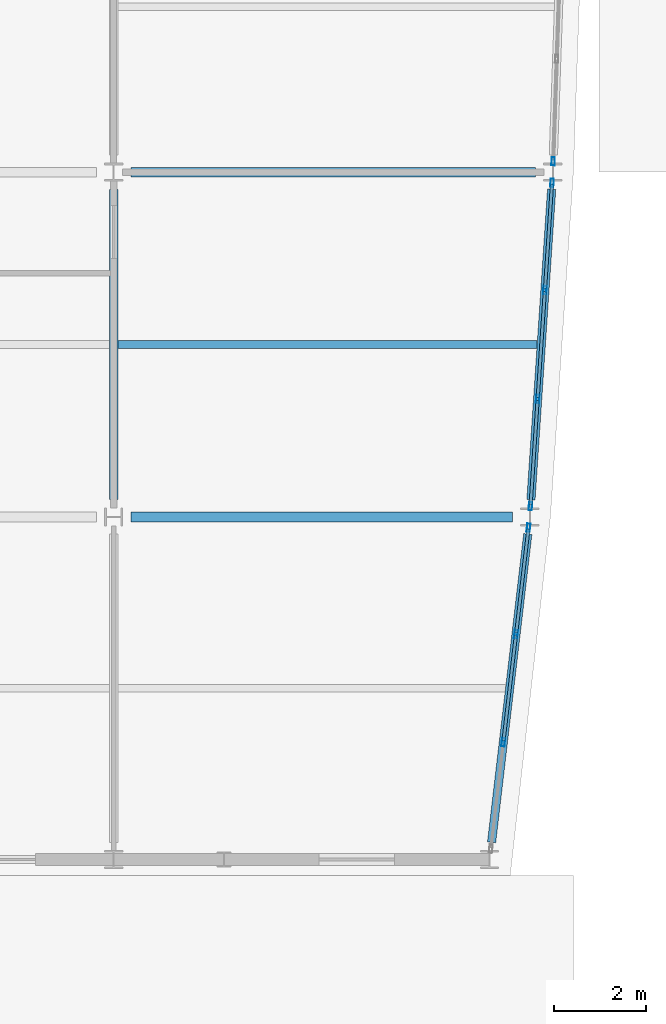
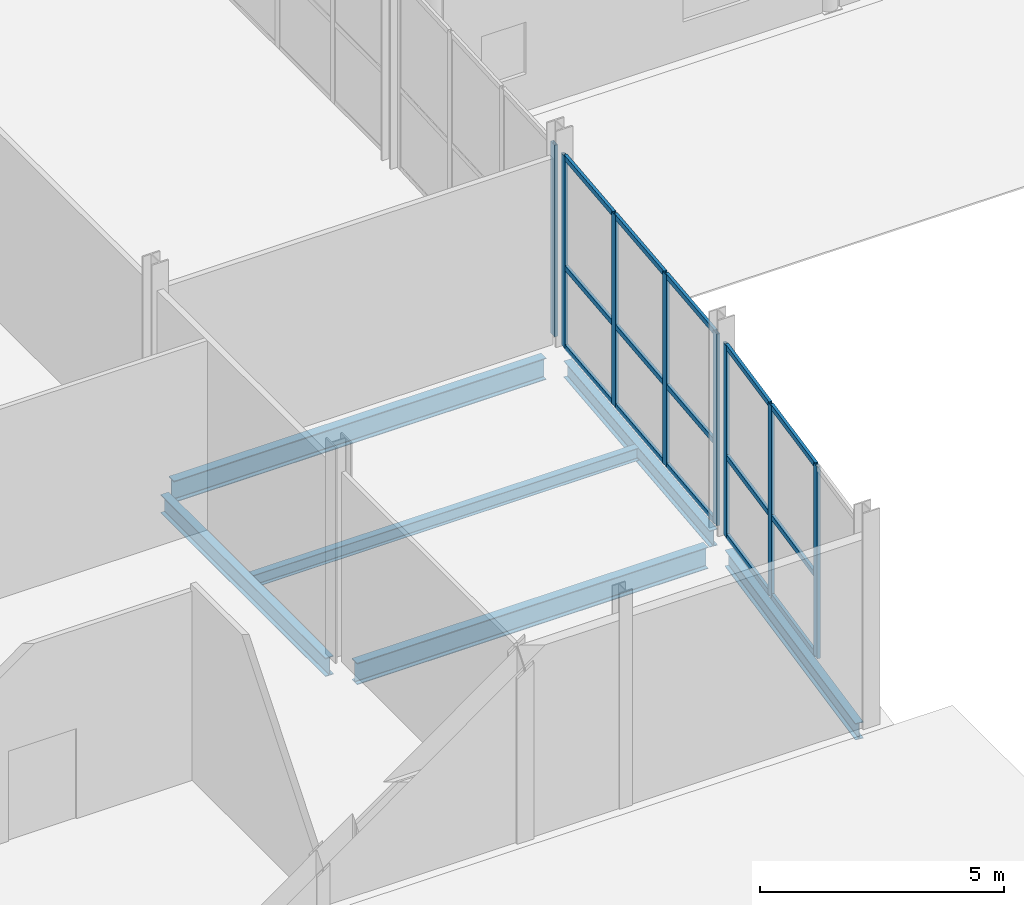
# One storey, part 25 of 83: 23 members, 6 beams, 3 elements without a shape of their own.
"""IFC4 building model written with IfcOpenShell, lengths in metres."""

from ifc_helpers import new_model, si_unit, direction, frame, origin, origin_2d, place, context, subcontext, project, spatial, hollow_rectangle, i_section, extrude, material, layer, layer_set, material_profile, profile_set, type_object, element, aggregate, save


model = new_model("IFC4")

# Units and contexts
model_context = context("Model", 3, precision=1e-05, world=origin(), true_north=direction((0.0, 1.0)))
body_context = subcontext(model_context, "Body", "Model", "MODEL_VIEW")
ifc_project = project(units=[si_unit("LENGTHUNIT", "METRE"), si_unit("AREAUNIT", "SQUARE_METRE"), si_unit("VOLUMEUNIT", "CUBIC_METRE"), si_unit("PLANEANGLEUNIT", "RADIAN"), si_unit("MASSUNIT", "GRAM", prefix="KILO")], contexts=[model_context])

# Site, building, storey
site_placement = place(None, origin())
site = spatial("IfcSite", under=ifc_project, at=site_placement, CompositionType="ELEMENT")
building_placement = place(site_placement, origin())
building = spatial("IfcBuilding", under=site, at=building_placement, Name="Quillay Park Conservatory", CompositionType="ELEMENT")
storey_placement = place(building_placement, origin())
storey = spatial("IfcBuildingStorey", under=building, at=storey_placement, Name="L00", CompositionType="ELEMENT", Elevation=0.0)

# Beam
ifc_material_1 = material(Name="Steel ASTM A992 Grade 50", Category="steel")
ifc_material_profile_1 = material_profile(ifc_material_1, i_section(OverallWidth=0.166015625, OverallDepth=0.31298828125, WebThickness=0.006591796875, FlangeThickness=0.01123046875, FilletRadius=0.010009765625, at=origin_2d()), Name="W310x45")
ifc_profile_set_1 = profile_set([ifc_material_profile_1], Name="Steel ASTM A992 Grade 50")
beam_type_1 = type_object("IfcBeamType", Name="COMPOSITE FLOOR JOIST W310 X45", PredefinedType="JOIST", material=ifc_profile_set_1)
beam_1_placement = place(storey_placement, frame((19.845947265625, 74.25, -0.406494140625), z_axis=(1.0, 0.0, 0.0), x_axis=(0.0, 1.0, 0.0)))
element("IfcBeam", 1, at=beam_1_placement, inside=storey, type_object=beam_type_1, Name="L00 beam BM-J-0077", PredefinedType="JOIST", context=body_context, shape_type="SweptSolid", body=[
    extrude(i_section(OverallWidth=0.166015625, OverallDepth=0.31298828125, WebThickness=0.006591796875, FlangeThickness=0.01123046875, FilletRadius=0.010009765625, at=origin_2d()), origin(), (0.0, 0.0, 1.0), 9.114013671875),
])

# Curtain wall, members
ifc_material_2 = material(Name="Thermally Broken Anodised Aluminium 6063-T6", Category="aluminium")
ifc_layer = layer(ifc_material_2, 0.179931640625)
ifc_layer_set = layer_set([ifc_layer], Name="UNITISED CURTAIN WALL TOWER (Thermally Broken Anodised Aluminium 6063-T6)")
curtain_wall_type = type_object("IfcCurtainWallType", Name="UNITISED CURTAIN WALL TOWER", PredefinedType="USERDEFINED", material=ifc_layer_set)
curtain_wall_1_placement = place(storey_placement, origin())
curtain_wall_1 = element("IfcCurtainWall", 2, at=curtain_wall_1_placement, inside=storey, type_object=curtain_wall_type, Name="L00 Unitised Curtain Wall 001", ObjectType="UNITISED CURTAIN WALL", PredefinedType="USERDEFINED")
ifc_material_3 = material(Name="Thermally Broken Anodised Aluminium 6063-T6", Category="aluminium")
ifc_material_profile_2 = material_profile(ifc_material_3, hollow_rectangle(XDim=0.070068359375, YDim=0.179931640625, WallThickness=0.00390625, at=origin_2d()), Name="AL70x180x4")
ifc_profile_set_2 = profile_set([ifc_material_profile_2], Name="Thermally Broken Anodised Aluminium 6063-T6")
member_type_1 = type_object("IfcMemberType", Name="CURTAIN WALL MULLION 70 X180", PredefinedType="MULLION", material=ifc_profile_set_2)
member_1_placement = place(storey_placement, frame((28.772705078125, 70.2666015625, 0.0), z_axis=(0.0, 0.0, 1.0), x_axis=(0.993172502804, -0.116654959918, 0.0)))
member_1 = element("IfcMember", 3, at=member_1_placement, type_object=member_type_1, Name="CW-T1 mullion 1", PredefinedType="MULLION", context=body_context, shape_type="SweptSolid", body=[
    extrude(hollow_rectangle(XDim=0.070068359375, YDim=0.179931640625, WallThickness=0.00390625, at=origin_2d()), origin(), (0.0, 0.0, 1.0), 4.7890625),
])
member_2_placement = place(storey_placement, frame((28.50048828125, 67.950439453125, 0.0), z_axis=(0.0, 0.0, 1.0), x_axis=(0.993172502804, -0.116654959918, 0.0)))
member_2 = element("IfcMember", 4, at=member_2_placement, type_object=member_type_1, Name="CW-T1 mullion 2", PredefinedType="MULLION", context=body_context, shape_type="SweptSolid", body=[
    extrude(hollow_rectangle(XDim=0.070068359375, YDim=0.179931640625, WallThickness=0.00390625, at=origin_2d()), origin(), (0.0, 0.0, 1.0), 4.7890625),
])
member_3_placement = place(storey_placement, frame((28.224365234375, 65.599609375, 0.0), z_axis=(0.0, 0.0, 1.0), x_axis=(0.993172502804, -0.116654959918, 0.0)))
member_3 = element("IfcMember", 5, at=member_3_placement, type_object=member_type_1, Name="CW-T1 mullion 3", PredefinedType="MULLION", context=body_context, shape_type="SweptSolid", body=[
    extrude(hollow_rectangle(XDim=0.070068359375, YDim=0.179931640625, WallThickness=0.00390625, at=origin_2d()), origin(), (0.0, 0.0, 1.0), 4.7890625),
])

curtain_wall_2_placement = place(storey_placement, origin())
curtain_wall_2 = element("IfcCurtainWall", 6, at=curtain_wall_2_placement, inside=storey, type_object=curtain_wall_type, Name="L00 Unitised Curtain Wall 002", ObjectType="UNITISED CURTAIN WALL", PredefinedType="USERDEFINED")
member_4_placement = place(storey_placement, frame((29.284423828125, 77.765380859375, 0.0), z_axis=(0.0, 0.0, 1.0), x_axis=(0.997785033503, -0.0665208758, 0.0)))
member_4 = element("IfcMember", 7, at=member_4_placement, type_object=member_type_1, Name="CW-T1 mullion 1", PredefinedType="MULLION", context=body_context, shape_type="SweptSolid", body=[
    extrude(hollow_rectangle(XDim=0.070068359375, YDim=0.179931640625, WallThickness=0.00390625, at=origin_2d()), origin(), (0.0, 0.0, 1.0), 4.7890625),
])
member_5_placement = place(storey_placement, frame((29.12890625, 75.433349609375, 0.0), z_axis=(0.0, 0.0, 1.0), x_axis=(0.997785033503, -0.0665208758, 0.0)))
member_5 = element("IfcMember", 8, at=member_5_placement, type_object=member_type_1, Name="CW-T1 mullion 2", PredefinedType="MULLION", context=body_context, shape_type="SweptSolid", body=[
    extrude(hollow_rectangle(XDim=0.070068359375, YDim=0.179931640625, WallThickness=0.00390625, at=origin_2d()), origin(), (0.0, 0.0, 1.0), 4.7890625),
])
member_6_placement = place(storey_placement, frame((28.97119140625, 73.066650390625, 0.0), z_axis=(0.0, 0.0, 1.0), x_axis=(0.997785033503, -0.0665208758, 0.0)))
member_6 = element("IfcMember", 9, at=member_6_placement, type_object=member_type_1, Name="CW-T1 mullion 3", PredefinedType="MULLION", context=body_context, shape_type="SweptSolid", body=[
    extrude(hollow_rectangle(XDim=0.070068359375, YDim=0.179931640625, WallThickness=0.00390625, at=origin_2d()), origin(), (0.0, 0.0, 1.0), 4.7890625),
])
member_7_placement = place(storey_placement, frame((28.815673828125, 70.734619140625, 0.0), z_axis=(0.0, 0.0, 1.0), x_axis=(0.997785033503, -0.0665208758, 0.0)))
member_7 = element("IfcMember", 10, at=member_7_placement, type_object=member_type_1, Name="CW-T1 mullion 4", PredefinedType="MULLION", context=body_context, shape_type="SweptSolid", body=[
    extrude(hollow_rectangle(XDim=0.070068359375, YDim=0.179931640625, WallThickness=0.00390625, at=origin_2d()), origin(), (0.0, 0.0, 1.0), 4.7890625),
])

# Curtain wall, member
curtain_wall_3_placement = place(storey_placement, origin())
curtain_wall_3 = element("IfcCurtainWall", 11, at=curtain_wall_3_placement, inside=storey, type_object=curtain_wall_type, Name="L00 Unitised Curtain Wall 003", ObjectType="UNITISED CURTAIN WALL", PredefinedType="USERDEFINED")
member_8_placement = place(storey_placement, frame((29.30810546875, 78.23486328125, 0.0), z_axis=(0.0, 0.0, 1.0), x_axis=(0.999397310446, -0.034713338537, 0.0)))
member_8 = element("IfcMember", 12, at=member_8_placement, type_object=member_type_1, Name="CW-T1 mullion 4", PredefinedType="MULLION", context=body_context, shape_type="SweptSolid", body=[
    extrude(hollow_rectangle(XDim=0.070068359375, YDim=0.179931640625, WallThickness=0.00390625, at=origin_2d()), origin(), (0.0, 0.0, 1.0), 4.7890625),
])
aggregate(curtain_wall_3, [member_8])

# Member
ifc_material_4 = material(Name="Thermally Broken Anodised Aluminium 6063-T6", Category="aluminium")
ifc_material_profile_3 = material_profile(ifc_material_4, hollow_rectangle(XDim=0.070068359375, YDim=0.1298828125, WallThickness=0.003173828125, at=origin_2d()), Name="AL70x130x3.2")
ifc_profile_set_3 = profile_set([ifc_material_profile_3], Name="Thermally Broken Anodised Aluminium 6063-T6")
member_type_2 = type_object("IfcMemberType", Name="CURTAIN WALL TRANSOM 70 X130", PredefinedType="USERDEFINED", material=ifc_profile_set_3)
member_9_placement = place(storey_placement, frame((28.7685546875, 70.23193359375, 0.034912109375), z_axis=(-0.116659662976, -0.993171950386, 0.0), x_axis=(0.993171950386, -0.116659662976, 0.0)))
member_9 = element("IfcMember", 13, at=member_9_placement, type_object=member_type_2, Name="CW-T1 transom 1.1", ObjectType="TRANSOM", PredefinedType="USERDEFINED", context=body_context, shape_type="SweptSolid", body=[
    extrude(hollow_rectangle(XDim=0.070068359375, YDim=0.1298828125, WallThickness=0.003173828125, at=origin_2d()), origin(), (0.0, 0.0, 1.0), 2.26220703125),
])

member_10_placement = place(storey_placement, frame((28.7685546875, 70.23193359375, 2.011474609375), z_axis=(-0.116659662976, -0.993171950386, 0.0), x_axis=(0.993171950386, -0.116659662976, 0.0)))
member_10 = element("IfcMember", 14, at=member_10_placement, type_object=member_type_2, Name="CW-T1 transom 1.2", ObjectType="TRANSOM", PredefinedType="USERDEFINED", context=body_context, shape_type="SweptSolid", body=[
    extrude(hollow_rectangle(XDim=0.070068359375, YDim=0.1298828125, WallThickness=0.003173828125, at=origin_2d()), origin(), (0.0, 0.0, 1.0), 2.26220703125),
])

member_11_placement = place(storey_placement, frame((28.7685546875, 70.23193359375, 4.75390625), z_axis=(-0.116659662976, -0.993171950386, 0.0), x_axis=(0.993171950386, -0.116659662976, 0.0)))
member_11 = element("IfcMember", 15, at=member_11_placement, type_object=member_type_2, Name="CW-T1 transom 1.3", ObjectType="TRANSOM", PredefinedType="USERDEFINED", context=body_context, shape_type="SweptSolid", body=[
    extrude(hollow_rectangle(XDim=0.070068359375, YDim=0.1298828125, WallThickness=0.003173828125, at=origin_2d()), origin(), (0.0, 0.0, 1.0), 2.26220703125),
])

member_12_placement = place(storey_placement, frame((28.49658203125, 67.915771484375, 0.034912109375), z_axis=(-0.116693255048, -0.993168004029, 0.0), x_axis=(0.993168004029, -0.116693255048, 0.0)))
member_12 = element("IfcMember", 16, at=member_12_placement, type_object=member_type_2, Name="CW-T1 transom 2.1", ObjectType="TRANSOM", PredefinedType="USERDEFINED", context=body_context, shape_type="SweptSolid", body=[
    extrude(hollow_rectangle(XDim=0.070068359375, YDim=0.1298828125, WallThickness=0.003173828125, at=origin_2d()), origin(), (0.0, 0.0, 1.0), 2.297119140625),
])

member_13_placement = place(storey_placement, frame((28.49658203125, 67.915771484375, 2.011474609375), z_axis=(-0.116693255048, -0.993168004029, 0.0), x_axis=(0.993168004029, -0.116693255048, 0.0)))
member_13 = element("IfcMember", 17, at=member_13_placement, type_object=member_type_2, Name="CW-T1 transom 2.2", ObjectType="TRANSOM", PredefinedType="USERDEFINED", context=body_context, shape_type="SweptSolid", body=[
    extrude(hollow_rectangle(XDim=0.070068359375, YDim=0.1298828125, WallThickness=0.003173828125, at=origin_2d()), origin(), (0.0, 0.0, 1.0), 2.297119140625),
])

member_14_placement = place(storey_placement, frame((28.49658203125, 67.915771484375, 4.75390625), z_axis=(-0.116693255048, -0.993168004029, 0.0), x_axis=(0.993168004029, -0.116693255048, 0.0)))
member_14 = element("IfcMember", 18, at=member_14_placement, type_object=member_type_2, Name="CW-T1 transom 2.3", ObjectType="TRANSOM", PredefinedType="USERDEFINED", context=body_context, shape_type="SweptSolid", body=[
    extrude(hollow_rectangle(XDim=0.070068359375, YDim=0.1298828125, WallThickness=0.003173828125, at=origin_2d()), origin(), (0.0, 0.0, 1.0), 2.297119140625),
])

aggregate(curtain_wall_1, [member_1, member_2, member_3, member_9, member_10, member_11, member_12, member_13, member_14])

member_15_placement = place(storey_placement, frame((29.281982421875, 77.73046875, 0.034912109375), z_axis=(-0.066447531676, -0.997789920542, 0.0), x_axis=(0.997789920542, -0.066447531676, 0.0)))
member_15 = element("IfcMember", 19, at=member_15_placement, type_object=member_type_2, Name="CW-T1 transom 1.1", ObjectType="TRANSOM", PredefinedType="USERDEFINED", context=body_context, shape_type="SweptSolid", body=[
    extrude(hollow_rectangle(XDim=0.070068359375, YDim=0.1298828125, WallThickness=0.003173828125, at=origin_2d()), origin(), (0.0, 0.0, 1.0), 2.26708984375),
])

member_16_placement = place(storey_placement, frame((29.281982421875, 77.73046875, 2.011474609375), z_axis=(-0.066447531676, -0.997789920542, 0.0), x_axis=(0.997789920542, -0.066447531676, 0.0)))
member_16 = element("IfcMember", 20, at=member_16_placement, type_object=member_type_2, Name="CW-T1 transom 1.2", ObjectType="TRANSOM", PredefinedType="USERDEFINED", context=body_context, shape_type="SweptSolid", body=[
    extrude(hollow_rectangle(XDim=0.070068359375, YDim=0.1298828125, WallThickness=0.003173828125, at=origin_2d()), origin(), (0.0, 0.0, 1.0), 2.26708984375),
])

member_17_placement = place(storey_placement, frame((29.281982421875, 77.73046875, 4.75390625), z_axis=(-0.066447531676, -0.997789920542, 0.0), x_axis=(0.997789920542, -0.066447531676, 0.0)))
member_17 = element("IfcMember", 21, at=member_17_placement, type_object=member_type_2, Name="CW-T1 transom 1.3", ObjectType="TRANSOM", PredefinedType="USERDEFINED", context=body_context, shape_type="SweptSolid", body=[
    extrude(hollow_rectangle(XDim=0.070068359375, YDim=0.1298828125, WallThickness=0.003173828125, at=origin_2d()), origin(), (0.0, 0.0, 1.0), 2.26708984375),
])

member_18_placement = place(storey_placement, frame((29.12646484375, 75.3984375, 0.034912109375), z_axis=(-0.066497892916, -0.997786565473, 0.0), x_axis=(0.997786565473, -0.066497892916, 0.0)))
member_18 = element("IfcMember", 22, at=member_18_placement, type_object=member_type_2, Name="CW-T1 transom 2.1", ObjectType="TRANSOM", PredefinedType="USERDEFINED", context=body_context, shape_type="SweptSolid", body=[
    extrude(hollow_rectangle(XDim=0.070068359375, YDim=0.1298828125, WallThickness=0.003173828125, at=origin_2d()), origin(), (0.0, 0.0, 1.0), 2.302001953125),
])

member_19_placement = place(storey_placement, frame((29.12646484375, 75.3984375, 2.011474609375), z_axis=(-0.066497892916, -0.997786565473, 0.0), x_axis=(0.997786565473, -0.066497892916, 0.0)))
member_19 = element("IfcMember", 23, at=member_19_placement, type_object=member_type_2, Name="CW-T1 transom 2.2", ObjectType="TRANSOM", PredefinedType="USERDEFINED", context=body_context, shape_type="SweptSolid", body=[
    extrude(hollow_rectangle(XDim=0.070068359375, YDim=0.1298828125, WallThickness=0.003173828125, at=origin_2d()), origin(), (0.0, 0.0, 1.0), 2.302001953125),
])

member_20_placement = place(storey_placement, frame((29.12646484375, 75.3984375, 4.75390625), z_axis=(-0.066497892916, -0.997786565473, 0.0), x_axis=(0.997786565473, -0.066497892916, 0.0)))
member_20 = element("IfcMember", 24, at=member_20_placement, type_object=member_type_2, Name="CW-T1 transom 2.3", ObjectType="TRANSOM", PredefinedType="USERDEFINED", context=body_context, shape_type="SweptSolid", body=[
    extrude(hollow_rectangle(XDim=0.070068359375, YDim=0.1298828125, WallThickness=0.003173828125, at=origin_2d()), origin(), (0.0, 0.0, 1.0), 2.302001953125),
])

member_21_placement = place(storey_placement, frame((28.96875, 73.031494140625, 0.034912109375), z_axis=(-0.066554749564, -0.997782774611, 0.0), x_axis=(0.997782774611, -0.066554749564, 0.0)))
member_21 = element("IfcMember", 25, at=member_21_placement, type_object=member_type_2, Name="CW-T1 transom 3.1", ObjectType="TRANSOM", PredefinedType="USERDEFINED", context=body_context, shape_type="SweptSolid", body=[
    extrude(hollow_rectangle(XDim=0.070068359375, YDim=0.1298828125, WallThickness=0.003173828125, at=origin_2d()), origin(), (0.0, 0.0, 1.0), 2.26708984375),
])

member_22_placement = place(storey_placement, frame((28.96875, 73.031494140625, 2.011474609375), z_axis=(-0.066554749564, -0.997782774611, 0.0), x_axis=(0.997782774611, -0.066554749564, 0.0)))
member_22 = element("IfcMember", 26, at=member_22_placement, type_object=member_type_2, Name="CW-T1 transom 3.2", ObjectType="TRANSOM", PredefinedType="USERDEFINED", context=body_context, shape_type="SweptSolid", body=[
    extrude(hollow_rectangle(XDim=0.070068359375, YDim=0.1298828125, WallThickness=0.003173828125, at=origin_2d()), origin(), (0.0, 0.0, 1.0), 2.26708984375),
])

member_23_placement = place(storey_placement, frame((28.96875, 73.031494140625, 4.75390625), z_axis=(-0.066554749564, -0.997782774611, 0.0), x_axis=(0.997782774611, -0.066554749564, 0.0)))
member_23 = element("IfcMember", 27, at=member_23_placement, type_object=member_type_2, Name="CW-T1 transom 3.3", ObjectType="TRANSOM", PredefinedType="USERDEFINED", context=body_context, shape_type="SweptSolid", body=[
    extrude(hollow_rectangle(XDim=0.070068359375, YDim=0.1298828125, WallThickness=0.003173828125, at=origin_2d()), origin(), (0.0, 0.0, 1.0), 2.26708984375),
])

aggregate(curtain_wall_2, [member_4, member_5, member_6, member_7, member_15, member_16, member_17, member_18, member_19, member_20, member_21, member_22, member_23])

# Beams
ifc_material_5 = material(Name="Steel ASTM A992 Grade 50", Category="steel")
ifc_material_profile_4 = material_profile(ifc_material_5, i_section(OverallWidth=0.179931640625, OverallDepth=0.4130859375, WebThickness=0.009765625, FlangeThickness=0.01611328125, FilletRadius=0.011962890625, at=origin_2d()), Name="W410x74")
ifc_profile_set_4 = profile_set([ifc_material_profile_4], Name="Steel ASTM A992 Grade 50")
beam_type_2 = type_object("IfcBeamType", Name="PERIMETER SPANDREL BEAM W410 X74", PredefinedType="SPANDREL", material=ifc_profile_set_4)
beam_2_placement = place(storey_placement, frame((27.96875, 63.42236328125, -0.45654296875), z_axis=(0.116656612699, 0.993172308672, 0.0), x_axis=(-0.993172308672, 0.116656612699, 0.0)))
element("IfcBeam", 28, at=beam_2_placement, inside=storey, type_object=beam_type_2, Name="L00 beam BM-SPE-0068", PredefinedType="SPANDREL", context=body_context, shape_type="SweptSolid", body=[
    extrude(i_section(OverallWidth=0.179931640625, OverallDepth=0.4130859375, WebThickness=0.009765625, FlangeThickness=0.01611328125, FilletRadius=0.011962890625, at=origin_2d()), origin(), (0.0, 0.0, 1.0), 6.75146484375),
])
beam_3_placement = place(storey_placement, frame((28.824951171875, 70.874267578125, -0.45654296875), z_axis=(0.06653337906, 0.99778419985, 0.0), x_axis=(-0.99778419985, 0.06653337906, 0.0)))
element("IfcBeam", 29, at=beam_3_placement, inside=storey, type_object=beam_type_2, Name="L00 beam BM-SPE-0074", PredefinedType="SPANDREL", context=body_context, shape_type="SweptSolid", body=[
    extrude(i_section(OverallWidth=0.179931640625, OverallDepth=0.4130859375, WebThickness=0.009765625, FlangeThickness=0.01611328125, FilletRadius=0.011962890625, at=origin_2d()), origin(), (0.0, 0.0, 1.0), 6.766357421875),
])
ifc_material_6 = material(Name="Steel ASTM A992 Grade 50", Category="steel")
ifc_material_profile_5 = material_profile(ifc_material_6, i_section(OverallWidth=0.19189453125, OverallDepth=0.462890625, WebThickness=0.010498046875, FlangeThickness=0.017578125, FilletRadius=0.012939453125, at=origin_2d()), Name="W460x89")
ifc_profile_set_5 = profile_set([ifc_material_profile_5], Name="Steel ASTM A992 Grade 50")
beam_type_3 = type_object("IfcBeamType", Name="PRIMARY FLOOR GIRDER W460 X89", PredefinedType="BEAM", material=ifc_profile_set_5)
beam_4_placement = place(storey_placement, frame((19.75, 70.875, -0.4814453125), z_axis=(0.0, 1.0, 0.0), x_axis=(-1.0, 0.0, 0.0)))
element("IfcBeam", 30, at=beam_4_placement, inside=storey, type_object=beam_type_3, Name="L00 beam BM-GNS-0076", PredefinedType="BEAM", context=body_context, shape_type="SweptSolid", body=[
    extrude(i_section(OverallWidth=0.19189453125, OverallDepth=0.462890625, WebThickness=0.010498046875, FlangeThickness=0.017578125, FilletRadius=0.012939453125, at=origin_2d()), origin(), (0.0, 0.0, 1.0), 6.75),
])
ifc_material_7 = material(Name="Steel ASTM A992 Grade 50", Category="steel")
ifc_material_profile_6 = material_profile(ifc_material_7, i_section(OverallWidth=0.2109375, OverallDepth=0.5390625, WebThickness=0.01171875, FlangeThickness=0.018798828125, FilletRadius=0.013916015625, at=origin_2d()), Name="W530x109")
ifc_profile_set_6 = profile_set([ifc_material_profile_6], Name="Steel ASTM A992 Grade 50")
beam_type_4 = type_object("IfcBeamType", Name="PRIMARY FLOOR GIRDER W530 X109", PredefinedType="BEAM", material=ifc_profile_set_6)
beam_5_placement = place(storey_placement, frame((20.125, 70.5, -0.51953125), z_axis=(1.0, 0.0, 0.0), x_axis=(0.0, 1.0, 0.0)))
element("IfcBeam", 31, at=beam_5_placement, inside=storey, type_object=beam_type_4, Name="L00 beam BM-G-0054", PredefinedType="BEAM", context=body_context, shape_type="SweptSolid", body=[
    extrude(i_section(OverallWidth=0.2109375, OverallDepth=0.5390625, WebThickness=0.01171875, FlangeThickness=0.018798828125, FilletRadius=0.013916015625, at=origin_2d()), origin(), (0.0, 0.0, 1.0), 8.300048828125),
])
beam_6_placement = place(storey_placement, frame((20.125, 78.0, -0.51953125), z_axis=(1.0, 0.0, 0.0), x_axis=(0.0, 1.0, 0.0)))
element("IfcBeam", 32, at=beam_6_placement, inside=storey, type_object=beam_type_4, Name="L00 beam BM-G-0056", PredefinedType="BEAM", context=body_context, shape_type="SweptSolid", body=[
    extrude(i_section(OverallWidth=0.2109375, OverallDepth=0.5390625, WebThickness=0.01171875, FlangeThickness=0.018798828125, FilletRadius=0.013916015625, at=origin_2d()), origin(), (0.0, 0.0, 1.0), 8.800048828125),
])

save(model, "model.ifc")
